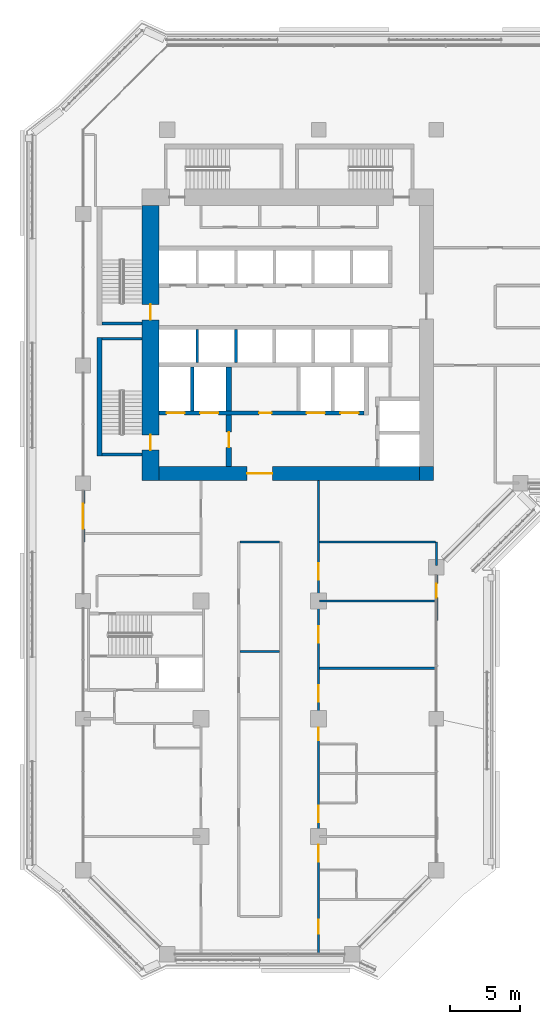
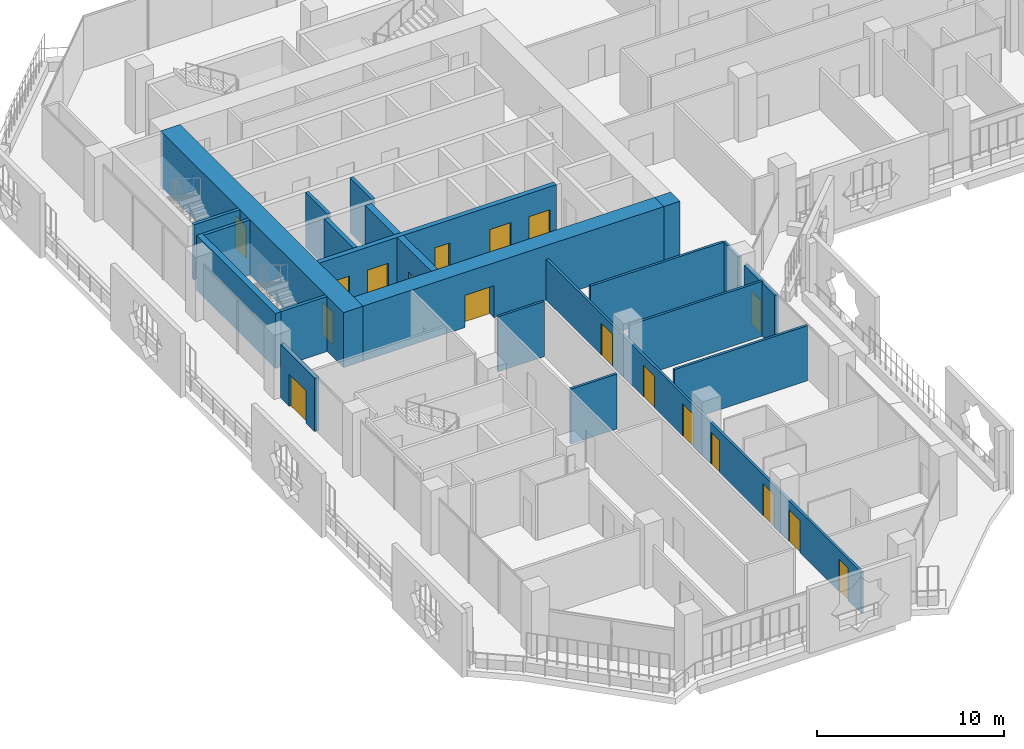
# One storey, part 13 of 25: 22 walls, 18 doors, 18 openings.
"""IFC4 building model written with IfcOpenShell, lengths in metres."""

import ifcopenshell
import ifcopenshell.guid

model = None  # the IFC model being written
_history = None  # IfcOwnerHistory: only IFC2X3 demands one
_inside = {}  # id of a spatial element -> (the spatial element, [elements in it])
_under = {}  # id of a project, library or spatial element -> (it, [spatial elements below it])
_declared = {}  # id of a project -> (the project, [libraries it declares])
_typed = {}  # id of a type object -> (the type object, [elements of that type])
_made_of = {}  # id of a material, layer set ... -> (it, [elements and type objects made of it])


def new_model(schema):
    """Start an empty IFC model of exactly this schema.

    Asked for "IFC4X3", IfcOpenShell would pick the latest addendum, in which some entities
    have other attributes; the version numbers below select the first issue.
    IFC2X3 requires an IfcOwnerHistory on every rooted entity: one is made here for all.
    """
    global model, _history
    if schema == "IFC4X3":
        model = ifcopenshell.file(schema_version=(4, 3, 0, 0))
    else:
        model = ifcopenshell.file(schema=schema)
    _inside.clear()
    _under.clear()
    _declared.clear()
    _typed.clear()
    _made_of.clear()
    _history = None
    if model.schema == "IFC2X3":
        org = make("IfcOrganization", Name="unknown")
        user = make(
            "IfcPersonAndOrganization",
            ThePerson=make("IfcPerson", FamilyName="unknown"),
            TheOrganization=org,
        )
        app = make(
            "IfcApplication",
            ApplicationDeveloper=org,
            Version="unknown",
            ApplicationFullName="unknown",
            ApplicationIdentifier="unknown",
        )
        _history = make(
            "IfcOwnerHistory",
            OwningUser=user,
            OwningApplication=app,
            ChangeAction="ADDED",
            CreationDate=0,
        )
    return model


def make(cls, **values):
    """One entity of the class cls with the attributes given. An attribute that is None is left unset."""
    return model.create_entity(
        cls, **{name: value for name, value in values.items() if value is not None}
    )


def rooted(cls, **values):
    """An entity with a GlobalId (a new one), such as an element, a storey or a relation."""
    return make(cls, GlobalId=ifcopenshell.guid.new(), OwnerHistory=_history, **values)


def si_unit(unit_type, name, prefix=None):
    """IfcSIUnit, for example si_unit("LENGTHUNIT", "METRE", prefix="MILLI")."""
    return make("IfcSIUnit", UnitType=unit_type, Prefix=prefix, Name=name)


def assignment(units):
    """IfcUnitAssignment: the units of a project."""
    return None if units is None else make("IfcUnitAssignment", Units=units)


def point(xyz):
    """IfcCartesianPoint."""
    return None if xyz is None else make("IfcCartesianPoint", Coordinates=xyz)


def direction(xyz):
    """IfcDirection."""
    return None if xyz is None else make("IfcDirection", DirectionRatios=xyz)


def frame(location, z_axis=None, x_axis=None):
    """IfcAxis2Placement3D, a coordinate frame: its origin and axes. An axis left out is left unset."""
    return make(
        "IfcAxis2Placement3D",
        Location=point(location),
        Axis=direction(z_axis),
        RefDirection=direction(x_axis),
    )


def frame_2d(location, x_axis=None):
    """IfcAxis2Placement2D, a coordinate frame in the plane: its origin and x axis."""
    return make(
        "IfcAxis2Placement2D", Location=point(location), RefDirection=direction(x_axis)
    )


def origin():
    """The frame at (0, 0, 0) with its axes left unset."""
    return frame((0.0, 0.0, 0.0))


def place(relative_to, where):
    """IfcLocalPlacement: puts the frame where relative to a parent placement (None: the world)."""
    return make(
        "IfcLocalPlacement", PlacementRelTo=relative_to, RelativePlacement=where
    )


def context(
    kind, dimensions, precision=None, world=None, true_north=None, identifier=None
):
    """IfcGeometricRepresentationContext, for example the 3D "Model" context."""
    return make(
        "IfcGeometricRepresentationContext",
        ContextIdentifier=identifier,
        ContextType=kind,
        CoordinateSpaceDimension=dimensions,
        Precision=precision,
        WorldCoordinateSystem=world,
        TrueNorth=true_north,
    )


def subcontext(parent, identifier, kind, view, scale=None):
    """IfcGeometricRepresentationSubContext, for example "Body" below "Model"."""
    return make(
        "IfcGeometricRepresentationSubContext",
        ContextIdentifier=identifier,
        ContextType=kind,
        ParentContext=parent,
        TargetScale=scale,
        TargetView=view,
    )


def project(units=None, contexts=None):
    """IfcProject with its units and contexts."""
    return rooted(
        "IfcProject",
        Name="project",
        RepresentationContexts=contexts,
        UnitsInContext=assignment(units),
    )


def spatial(cls, under=None, at=None, **own):
    """A site, building, storey or space (cls), placed at a placement, below another one or the project."""
    s = rooted(cls, ObjectPlacement=at, **own)
    if under is not None:
        _under.setdefault(under.id(), (under, []))[1].append(s)
    return s


def profile(cls, at=None, kind="AREA", **sizes):
    """A parametric profile (cls). Its sizes go by their IFC names, for example OverallWidth=200.0."""
    return make(cls, ProfileType=kind, Position=at, **sizes)


def rectangle(**sizes):
    """IfcRectangleProfileDef."""
    return profile("IfcRectangleProfileDef", **sizes)


def extrude(swept, where, along, depth):
    """IfcExtrudedAreaSolid: the profile swept, set in the frame where, extruded along a direction by depth."""
    return make(
        "IfcExtrudedAreaSolid",
        SweptArea=swept,
        Position=where,
        ExtrudedDirection=direction(along),
        Depth=depth,
    )


def shape(context_of_items, identifier, shape_type, items):
    """IfcShapeRepresentation: the items that make up one representation, for example the "Body"."""
    return make(
        "IfcShapeRepresentation",
        ContextOfItems=context_of_items,
        RepresentationIdentifier=identifier,
        RepresentationType=shape_type,
        Items=items,
    )


def material(Name=None, Category=None):
    """IfcMaterial."""
    return make("IfcMaterial", Name=Name, Category=Category)


def layer(
    of_material, thickness, ventilated=None, Name=None, Category=None, Priority=None
):
    """IfcMaterialLayer: one layer of a wall or slab, of a material (None: an air gap)."""
    return make(
        "IfcMaterialLayer",
        Material=of_material,
        LayerThickness=thickness,
        IsVentilated=ventilated,
        Name=Name,
        Category=Category,
        Priority=Priority,
    )


def layer_set(layers, Name=None):
    """IfcMaterialLayerSet."""
    return make("IfcMaterialLayerSet", MaterialLayers=layers, LayerSetName=Name)


def made_of(thing, what):
    """Note that an element or type object is made of a material, layer set ...; save() writes the relation."""
    if what is not None:
        _made_of.setdefault(what.id(), (what, []))[1].append(thing)
    return thing


def type_object(cls, material=None, **own):
    """A type object (cls), such as IfcWallType, which elements share."""
    return made_of(rooted(cls, **own), material)


def element(
    cls,
    number,
    at=None,
    inside=None,
    cuts=None,
    type_object=None,
    material=None,
    context=None,
    identifier="Body",
    shape_type=None,
    held_by="IfcProductDefinitionShape",
    body=None,
    shapes=None,
    **own,
):
    """One element of the class cls, such as IfcWall. Its Tag is "e" and its number.

    at: its placement. inside: the storey or other place that contains it. cuts: it is an
    opening in that element (IfcRelVoidsElement). A single representation is given by context,
    identifier, shape_type and body (its items); several are given by shapes. held_by: the class
    of the entity that holds the representations. save() writes the other relations.
    """
    e = rooted(cls, Tag="e%d" % number, ObjectPlacement=at, **own)
    if body is not None:
        shapes = [shape(context, identifier, shape_type, body)]
    if shapes is not None:
        e.Representation = make(held_by, Representations=shapes)
    if inside is not None:
        _inside.setdefault(inside.id(), (inside, []))[1].append(e)
    if cuts is not None:
        rooted(
            "IfcRelVoidsElement", RelatingBuildingElement=cuts, RelatedOpeningElement=e
        )
    if type_object is not None:
        _typed.setdefault(type_object.id(), (type_object, []))[1].append(e)
    return made_of(e, material)


def fill(opening, filler):
    """IfcRelFillsElement: the door or window that sits in an opening."""
    return rooted(
        "IfcRelFillsElement",
        RelatingOpeningElement=opening,
        RelatedBuildingElement=filler,
    )


def aggregate(whole, parts):
    """IfcRelAggregates: a whole, such as a stair, and the parts it consists of."""
    return rooted("IfcRelAggregates", RelatingObject=whole, RelatedObjects=parts)


def save(model, path):
    """Write the relations noted so far, then the file.

    IfcRelAggregates (storeys below a building ...), IfcRelContainedInSpatialStructure (elements
    in a storey), IfcRelDefinesByType, IfcRelAssociatesMaterial and IfcRelDeclares: one each for
    every whole, place, type object, material and project.
    """
    for whole, parts in _under.values():
        aggregate(whole, parts)
    for where, things in _inside.values():
        rooted(
            "IfcRelContainedInSpatialStructure",
            RelatedElements=things,
            RelatingStructure=where,
        )
    for kind, things in _typed.values():
        rooted("IfcRelDefinesByType", RelatedObjects=things, RelatingType=kind)
    for what, things in _made_of.values():
        rooted("IfcRelAssociatesMaterial", RelatedObjects=things, RelatingMaterial=what)
    for by, libraries in _declared.values():
        rooted("IfcRelDeclares", RelatingContext=by, RelatedDefinitions=libraries)
    model.write(path)


model = new_model("IFC4")

# Units and contexts
model_context = context("Model", 3, precision=1e-05, world=origin(), true_north=direction((0.0, 1.0)))
body_context = subcontext(model_context, "Body", "Model", "MODEL_VIEW")
ifc_project = project(units=[si_unit("LENGTHUNIT", "METRE"), si_unit("AREAUNIT", "SQUARE_METRE"), si_unit("VOLUMEUNIT", "CUBIC_METRE"), si_unit("PLANEANGLEUNIT", "RADIAN"), si_unit("MASSUNIT", "GRAM", prefix="KILO")], contexts=[model_context])

# Site, building, storey
site_placement = place(None, origin())
site = spatial("IfcSite", under=ifc_project, at=site_placement, CompositionType="ELEMENT")
building_placement = place(site_placement, origin())
building = spatial("IfcBuilding", under=site, at=building_placement, Name="Kawkab Arch Medical Tower", CompositionType="ELEMENT")
storey_placement = place(building_placement, frame((0.0, 0.0, 145.0)))
storey = spatial("IfcBuildingStorey", under=building, at=storey_placement, Name="L33", CompositionType="ELEMENT", Elevation=145.0)

# Wall, opening, door
ifc_material_1 = material(Name="Concrete C60/75", Category="concrete")
ifc_layer_1 = layer(ifc_material_1, 1.0)
ifc_layer_set_1 = layer_set([ifc_layer_1], Name="Concrete C60/75")
wall_type_1 = type_object("IfcWallType", Name="Core ring wall 1000 C60/75", PredefinedType="SHEAR", material=ifc_layer_set_1)
wall_1_placement = place(storey_placement, frame((5.39990234375, -24.5, 0.0), z_axis=(0.0, 0.0, 1.0), x_axis=(1.0, 0.0, 0.0)))
wall_1 = element("IfcWall", 1, at=wall_1_placement, inside=storey, type_object=wall_type_1, Name="L33 core wall", PredefinedType="SHEAR", context=body_context, shape_type="SweptSolid", body=[
    extrude(rectangle(XDim=18.60009765625, YDim=1.0, at=frame_2d((9.300048828125, 0.0))), origin(), (0.0, 0.0, 1.0), 3.60009765625),
])
opening_1_placement = place(wall_1_placement, frame((6.300048828125, 0.0, 0.0)))
opening_1 = element("IfcOpeningElement", 2, at=opening_1_placement, cuts=wall_1, Name="Opening PD", PredefinedType="OPENING", context=body_context, shape_type="SweptSolid", body=[
    extrude(rectangle(XDim=1.800048828125, YDim=2.10009765625, at=frame_2d((0.89990234375, 1.050048828125))), frame((0.0, 0.510009765625, 0.0), z_axis=(0.0, -1.0, 0.0), x_axis=(1.0, 0.0, 0.0)), (0.0, 0.0, 1.0), 1.02001953125),
])
ifc_material_2 = material(Name="Hollow metal fire door leaf")
door_type_1 = type_object("IfcDoorType", Name="Core entrance doors 1800", OperationType="DOUBLE_DOOR_SINGLE_SWING", PredefinedType="DOOR", material=ifc_material_2)
door_1_placement = place(opening_1_placement, origin())
door_1 = element("IfcDoor", 3, at=door_1_placement, inside=storey, type_object=door_type_1, Name="L33 South entrance doors", OperationType="DOUBLE_DOOR_SINGLE_SWING", OverallHeight=2.10009765625, OverallWidth=1.800048828125, PredefinedType="DOOR", context=body_context, shape_type="SweptSolid", body=[
    extrude(rectangle(XDim=1.800048828125, YDim=2.10009765625, at=frame_2d((0.89990234375, 1.050048828125))), frame((0.0, 0.02490234375, 0.0), z_axis=(0.0, -1.0, 0.0), x_axis=(1.0, 0.0, 0.0)), (0.0, 0.0, 1.0), 0.050048828125),
])
fill(opening_1, door_1)

# Wall
wall_2_placement = place(storey_placement, frame((24.5, -25.0, 0.0), z_axis=(0.0, 0.0, 1.0), x_axis=(0.0, 1.0, 0.0)))
element("IfcWall", 4, at=wall_2_placement, inside=storey, type_object=wall_type_1, Name="L33 core wall", PredefinedType="SHEAR", context=body_context, shape_type="SweptSolid", body=[
    extrude(rectangle(XDim=1.0, YDim=1.0, at=frame_2d((0.5, 0.0))), origin(), (0.0, 0.0, 1.0), 3.60009765625),
])

# Wall, openings, doors
ifc_material_3 = material(Name="Concrete C60/75", Category="concrete")
ifc_layer_2 = layer(ifc_material_3, 1.199951171875)
ifc_layer_set_2 = layer_set([ifc_layer_2], Name="Concrete C60/75")
wall_type_2 = type_object("IfcWallType", Name="Core ring wall 1200 C60/75", PredefinedType="SHEAR", material=ifc_layer_set_2)
wall_3_placement = place(storey_placement, frame((4.800048828125, -25.0, 0.0), z_axis=(0.0, 0.0, 1.0), x_axis=(0.0, 1.0, 0.0)))
wall_3 = element("IfcWall", 5, at=wall_3_placement, inside=storey, type_object=wall_type_2, Name="L33 core wall", PredefinedType="SHEAR", context=body_context, shape_type="SweptSolid", body=[
    extrude(rectangle(XDim=19.60009765625, YDim=1.199951171875, at=frame_2d((9.800048828125, 0.0))), origin(), (0.0, 0.0, 1.0), 3.60009765625),
])
opening_2_placement = place(wall_3_placement, frame((11.449951171875, 0.0, 0.0)))
opening_2 = element("IfcOpeningElement", 6, at=opening_2_placement, cuts=wall_3, Name="Opening SD", PredefinedType="OPENING", context=body_context, shape_type="SweptSolid", body=[
    extrude(rectangle(XDim=1.10009765625, YDim=2.10009765625, at=frame_2d((0.550048828125, 1.050048828125))), frame((0.0, 0.60986328125, 0.0), z_axis=(0.0, -1.0, 0.0), x_axis=(1.0, 0.0, 0.0)), (0.0, 0.0, 1.0), 1.219970703125),
])
opening_3_placement = place(wall_3_placement, frame((2.14990234375, 0.0, 0.0)))
opening_3 = element("IfcOpeningElement", 7, at=opening_3_placement, cuts=wall_3, Name="Opening SD", PredefinedType="OPENING", context=body_context, shape_type="SweptSolid", body=[
    extrude(rectangle(XDim=1.10009765625, YDim=2.10009765625, at=frame_2d((0.550048828125, 1.050048828125))), frame((0.0, 0.60986328125, 0.0), z_axis=(0.0, -1.0, 0.0), x_axis=(1.0, 0.0, 0.0)), (0.0, 0.0, 1.0), 1.219970703125),
])
ifc_material_4 = material(Name="Hollow metal fire door leaf")
door_type_2 = type_object("IfcDoorType", Name="Exit stair door 1100", OperationType="SINGLE_SWING_LEFT", PredefinedType="DOOR", material=ifc_material_4)
door_2_placement = place(opening_2_placement, origin())
door_2 = element("IfcDoor", 8, at=door_2_placement, inside=storey, type_object=door_type_2, Name="L33 Exit stair ST1 door", OperationType="SINGLE_SWING_LEFT", OverallHeight=2.10009765625, OverallWidth=1.10009765625, PredefinedType="DOOR", context=body_context, shape_type="SweptSolid", body=[
    extrude(rectangle(XDim=1.10009765625, YDim=2.10009765625, at=frame_2d((0.550048828125, 1.050048828125))), frame((0.0, 0.02490234375, 0.0), z_axis=(0.0, -1.0, 0.0), x_axis=(1.0, 0.0, 0.0)), (0.0, 0.0, 1.0), 0.050048828125),
])
fill(opening_2, door_2)
door_3_placement = place(opening_3_placement, origin())
door_3 = element("IfcDoor", 9, at=door_3_placement, inside=storey, type_object=door_type_2, Name="L33 Exit stair ST2 door", OperationType="SINGLE_SWING_LEFT", OverallHeight=2.10009765625, OverallWidth=1.10009765625, PredefinedType="DOOR", context=body_context, shape_type="SweptSolid", body=[
    extrude(rectangle(XDim=1.10009765625, YDim=2.10009765625, at=frame_2d((0.550048828125, 1.050048828125))), frame((0.0, 0.02490234375, 0.0), z_axis=(0.0, -1.0, 0.0), x_axis=(1.0, 0.0, 0.0)), (0.0, 0.0, 1.0), 0.050048828125),
])
fill(opening_3, door_3)

# Wall
ifc_material_5 = material(Name="Concrete C60/75", Category="concrete")
ifc_layer_3 = layer(ifc_material_5, 0.25)
ifc_layer_set_3 = layer_set([ifc_layer_3], Name="Concrete C60/75")
wall_type_3 = type_object("IfcWallType", Name="Core shear wall 250 C60/75", PredefinedType="SHEAR", material=ifc_layer_set_3)
wall_4_placement = place(storey_placement, frame((7.800048828125, -20.050048828125, 0.0), z_axis=(0.0, 0.0, 1.0), x_axis=(0.0, 1.0, 0.0)))
element("IfcWall", 10, at=wall_4_placement, inside=storey, type_object=wall_type_3, Name="L33 core shear wall", PredefinedType="SHEAR", context=body_context, shape_type="SweptSolid", body=[
    extrude(rectangle(XDim=3.150146484375, YDim=0.25, at=frame_2d((1.5751953125, 0.0))), origin(), (0.0, 0.0, 1.0), 3.60009765625),
])

# Wall, openings, doors
ifc_material_6 = material(Name="Concrete C60/75", Category="concrete")
ifc_layer_4 = layer(ifc_material_6, 0.300048828125)
ifc_layer_set_4 = layer_set([ifc_layer_4], Name="Concrete C60/75")
wall_type_4 = type_object("IfcWallType", Name="Core shear wall 300 C60/75", PredefinedType="SHEAR", material=ifc_layer_set_4)
wall_5_placement = place(storey_placement, frame((5.39990234375, -20.199951171875, 0.0), z_axis=(0.0, 0.0, 1.0), x_axis=(1.0, 0.0, 0.0)))
wall_5 = element("IfcWall", 11, at=wall_5_placement, inside=storey, type_object=wall_type_4, Name="L33 core shear wall", PredefinedType="SHEAR", context=body_context, shape_type="SweptSolid", body=[
    extrude(rectangle(XDim=14.650146484375, YDim=0.300048828125, at=frame_2d((7.3251953125, 0.0))), origin(), (0.0, 0.0, 1.0), 3.60009765625),
])
opening_4_placement = place(wall_5_placement, frame((10.550048828125, 0.0, 0.0)))
opening_4 = element("IfcOpeningElement", 12, at=opening_4_placement, cuts=wall_5, Name="Opening LD2", PredefinedType="OPENING", context=body_context, shape_type="SweptSolid", body=[
    extrude(rectangle(XDim=1.300048828125, YDim=2.10009765625, at=frame_2d((0.64990234375, 1.050048828125))), frame((0.0, 0.159912109375, 0.0), z_axis=(0.0, -1.0, 0.0), x_axis=(1.0, 0.0, 0.0)), (0.0, 0.0, 1.0), 0.320068359375),
])
opening_5_placement = place(wall_5_placement, frame((12.949951171875, 0.0, 0.0)))
opening_5 = element("IfcOpeningElement", 13, at=opening_5_placement, cuts=wall_5, Name="Opening LD2", PredefinedType="OPENING", context=body_context, shape_type="SweptSolid", body=[
    extrude(rectangle(XDim=1.300048828125, YDim=2.10009765625, at=frame_2d((0.64990234375, 1.050048828125))), frame((0.0, 0.159912109375, 0.0), z_axis=(0.0, -1.0, 0.0), x_axis=(1.0, 0.0, 0.0)), (0.0, 0.0, 1.0), 0.320068359375),
])
opening_6_placement = place(wall_5_placement, frame((0.550048828125, 0.0, 0.0)))
opening_6 = element("IfcOpeningElement", 14, at=opening_6_placement, cuts=wall_5, Name="Opening LD2", PredefinedType="OPENING", context=body_context, shape_type="SweptSolid", body=[
    extrude(rectangle(XDim=1.300048828125, YDim=2.10009765625, at=frame_2d((0.64990234375, 1.050048828125))), frame((0.0, 0.159912109375, 0.0), z_axis=(0.0, -1.0, 0.0), x_axis=(1.0, 0.0, 0.0)), (0.0, 0.0, 1.0), 0.320068359375),
])
opening_7_placement = place(wall_5_placement, frame((2.949951171875, 0.0, 0.0)))
opening_7 = element("IfcOpeningElement", 15, at=opening_7_placement, cuts=wall_5, Name="Opening LD2", PredefinedType="OPENING", context=body_context, shape_type="SweptSolid", body=[
    extrude(rectangle(XDim=1.300048828125, YDim=2.10009765625, at=frame_2d((0.64990234375, 1.050048828125))), frame((0.0, 0.159912109375, 0.0), z_axis=(0.0, -1.0, 0.0), x_axis=(1.0, 0.0, 0.0)), (0.0, 0.0, 1.0), 0.320068359375),
])
opening_8_placement = place(wall_5_placement, frame((7.14990234375, 0.0, 0.0)))
opening_8 = element("IfcOpeningElement", 16, at=opening_8_placement, cuts=wall_5, Name="Opening RD", PredefinedType="OPENING", context=body_context, shape_type="SweptSolid", body=[
    extrude(rectangle(XDim=0.89990234375, YDim=2.10009765625, at=frame_2d((0.449951171875, 1.050048828125))), frame((0.0, 0.159912109375, 0.0), z_axis=(0.0, -1.0, 0.0), x_axis=(1.0, 0.0, 0.0)), (0.0, 0.0, 1.0), 0.320068359375),
])
ifc_material_7 = material(Name="Hollow metal fire door leaf")
door_type_3 = type_object("IfcDoorType", Name="Core room door 900", OperationType="SINGLE_SWING_LEFT", PredefinedType="DOOR", material=ifc_material_7)
door_4_placement = place(opening_8_placement, origin())
door_4 = element("IfcDoor", 17, at=door_4_placement, inside=storey, type_object=door_type_3, Name="L33 Equipment store door", OperationType="SINGLE_SWING_LEFT", OverallHeight=2.10009765625, OverallWidth=0.89990234375, PredefinedType="DOOR", context=body_context, shape_type="SweptSolid", body=[
    extrude(rectangle(XDim=0.89990234375, YDim=2.10009765625, at=frame_2d((0.449951171875, 1.050048828125))), frame((0.0, 0.02490234375, 0.0), z_axis=(0.0, -1.0, 0.0), x_axis=(1.0, 0.0, 0.0)), (0.0, 0.0, 1.0), 0.050048828125),
])
fill(opening_8, door_4)
ifc_material_8 = material(Name="Stainless steel lift door leaf", Category="steel")
door_type_4 = type_object("IfcDoorType", Name="Lift landing door 1300", OperationType="DOUBLE_DOOR_SLIDING", PredefinedType="DOOR", material=ifc_material_8)
door_5_placement = place(opening_4_placement, origin())
door_5 = element("IfcDoor", 18, at=door_5_placement, inside=storey, type_object=door_type_4, Name="L33 Lift landing door BD3", OperationType="DOUBLE_DOOR_SLIDING", OverallHeight=2.10009765625, OverallWidth=1.300048828125, PredefinedType="DOOR", context=body_context, shape_type="SweptSolid", body=[
    extrude(rectangle(XDim=1.300048828125, YDim=2.10009765625, at=frame_2d((0.64990234375, 1.050048828125))), frame((0.0, 0.02490234375, 0.0), z_axis=(0.0, -1.0, 0.0), x_axis=(1.0, 0.0, 0.0)), (0.0, 0.0, 1.0), 0.050048828125),
])
fill(opening_4, door_5)
door_6_placement = place(opening_5_placement, origin())
door_6 = element("IfcDoor", 19, at=door_6_placement, inside=storey, type_object=door_type_4, Name="L33 Lift landing door BD4", OperationType="DOUBLE_DOOR_SLIDING", OverallHeight=2.10009765625, OverallWidth=1.300048828125, PredefinedType="DOOR", context=body_context, shape_type="SweptSolid", body=[
    extrude(rectangle(XDim=1.300048828125, YDim=2.10009765625, at=frame_2d((0.64990234375, 1.050048828125))), frame((0.0, 0.02490234375, 0.0), z_axis=(0.0, -1.0, 0.0), x_axis=(1.0, 0.0, 0.0)), (0.0, 0.0, 1.0), 0.050048828125),
])
fill(opening_5, door_6)
door_7_placement = place(opening_6_placement, origin())
door_7 = element("IfcDoor", 20, at=door_7_placement, inside=storey, type_object=door_type_4, Name="L33 Lift landing door FL1", OperationType="DOUBLE_DOOR_SLIDING", OverallHeight=2.10009765625, OverallWidth=1.300048828125, PredefinedType="DOOR", context=body_context, shape_type="SweptSolid", body=[
    extrude(rectangle(XDim=1.300048828125, YDim=2.10009765625, at=frame_2d((0.64990234375, 1.050048828125))), frame((0.0, 0.02490234375, 0.0), z_axis=(0.0, -1.0, 0.0), x_axis=(1.0, 0.0, 0.0)), (0.0, 0.0, 1.0), 0.050048828125),
])
fill(opening_6, door_7)
door_8_placement = place(opening_7_placement, origin())
door_8 = element("IfcDoor", 21, at=door_8_placement, inside=storey, type_object=door_type_4, Name="L33 Lift landing door FL2", OperationType="DOUBLE_DOOR_SLIDING", OverallHeight=2.10009765625, OverallWidth=1.300048828125, PredefinedType="DOOR", context=body_context, shape_type="SweptSolid", body=[
    extrude(rectangle(XDim=1.300048828125, YDim=2.10009765625, at=frame_2d((0.64990234375, 1.050048828125))), frame((0.0, 0.02490234375, 0.0), z_axis=(0.0, -1.0, 0.0), x_axis=(1.0, 0.0, 0.0)), (0.0, 0.0, 1.0), 0.050048828125),
])
fill(opening_7, door_8)

# Wall, opening, door
ifc_material_9 = material(Name="Concrete C60/75", Category="concrete")
ifc_layer_5 = layer(ifc_material_9, 0.39990234375)
ifc_layer_set_5 = layer_set([ifc_layer_5], Name="Concrete C60/75")
wall_type_5 = type_object("IfcWallType", Name="Core shear wall 400 C60/75", PredefinedType="SHEAR", material=ifc_layer_set_5)
wall_6_placement = place(storey_placement, frame((10.39990234375, -24.0, 0.0), z_axis=(0.0, 0.0, 1.0), x_axis=(0.0, 1.0, 0.0)))
wall_6 = element("IfcWall", 22, at=wall_6_placement, inside=storey, type_object=wall_type_5, Name="L33 core shear wall", PredefinedType="SHEAR", context=body_context, shape_type="SweptSolid", body=[
    extrude(rectangle(XDim=3.64990234375, YDim=0.39990234375, at=frame_2d((1.824951171875, 0.0))), origin(), (0.0, 0.0, 1.0), 3.60009765625),
])
opening_9_placement = place(wall_6_placement, frame((1.35009765625, 0.0, 0.0)))
opening_9 = element("IfcOpeningElement", 23, at=opening_9_placement, cuts=wall_6, Name="Opening FD", PredefinedType="OPENING", context=body_context, shape_type="SweptSolid", body=[
    extrude(rectangle(XDim=1.10009765625, YDim=2.10009765625, at=frame_2d((0.550048828125, 1.050048828125))), frame((0.0, 0.2099609375, 0.0), z_axis=(0.0, -1.0, 0.0), x_axis=(1.0, 0.0, 0.0)), (0.0, 0.0, 1.0), 0.419921875),
])
ifc_material_10 = material(Name="Hollow metal fire door leaf")
door_type_5 = type_object("IfcDoorType", Name="Firefighting lobby door 1100", OperationType="SINGLE_SWING_LEFT", PredefinedType="DOOR", material=ifc_material_10)
door_9_placement = place(opening_9_placement, origin())
door_9 = element("IfcDoor", 24, at=door_9_placement, inside=storey, type_object=door_type_5, Name="L33 Firefighting lobby door", OperationType="SINGLE_SWING_LEFT", OverallHeight=2.10009765625, OverallWidth=1.10009765625, PredefinedType="DOOR", context=body_context, shape_type="SweptSolid", body=[
    extrude(rectangle(XDim=1.10009765625, YDim=2.10009765625, at=frame_2d((0.550048828125, 1.050048828125))), frame((0.0, 0.02490234375, 0.0), z_axis=(0.0, -1.0, 0.0), x_axis=(1.0, 0.0, 0.0)), (0.0, 0.0, 1.0), 0.050048828125),
])
fill(opening_9, door_9)

# Wall
wall_7_placement = place(storey_placement, frame((10.39990234375, -20.050048828125, 0.0), z_axis=(0.0, 0.0, 1.0), x_axis=(0.0, 1.0, 0.0)))
element("IfcWall", 25, at=wall_7_placement, inside=storey, type_object=wall_type_5, Name="L33 core shear wall", PredefinedType="SHEAR", context=body_context, shape_type="SweptSolid", body=[
    extrude(rectangle(XDim=3.150146484375, YDim=0.39990234375, at=frame_2d((1.5751953125, 0.0))), origin(), (0.0, 0.0, 1.0), 3.60009765625),
])

# Wall, opening, door
ifc_material_11 = material(Name="Bronze clad insulated wall panel")
ifc_layer_6 = layer(ifc_material_11, 0.25)
ifc_layer_set_6 = layer_set([ifc_layer_6], Name="Bronze clad insulated wall panel")
wall_type_6 = type_object("IfcWallType", Name="External wall bay 250", PredefinedType="SOLIDWALL", material=ifc_layer_set_6)
wall_8_placement = place(storey_placement, frame((0.0, -25.72509765625, 0.0), z_axis=(0.0, 0.0, 1.0), x_axis=(0.0, -1.0, 0.0)))
wall_8 = element("IfcWall", 26, at=wall_8_placement, inside=storey, type_object=wall_type_6, Name="External wall bay L33.R01.4.1", PredefinedType="SOLIDWALL", context=body_context, shape_type="SweptSolid", body=[
    extrude(rectangle(XDim=3.6748046875, YDim=0.25, at=frame_2d((1.83740234375, 0.0))), origin(), (0.0, 0.0, 1.0), 3.47998046875),
])
opening_10_placement = place(wall_8_placement, frame((0.9375, 0.0, 0.0)))
opening_10 = element("IfcOpeningElement", 27, at=opening_10_placement, cuts=wall_8, Name="Opening W28-701", PredefinedType="OPENING", context=body_context, shape_type="SweptSolid", body=[
    extrude(rectangle(XDim=1.800048828125, YDim=2.10009765625, at=frame_2d((0.89990234375, 1.050048828125))), frame((0.0, 0.135009765625, 0.0), z_axis=(0.0, -1.0, 0.0), x_axis=(1.0, 0.0, 0.0)), (0.0, 0.0, 1.0), 0.27001953125),
])
ifc_material_12 = material(Name="Bronze anodised aluminium door with tinted glass", Category="aluminium")
door_type_6 = type_object("IfcDoorType", Name="Double external door 1800 x 2100", OperationType="DOUBLE_DOOR_SINGLE_SWING", PredefinedType="DOOR", material=ifc_material_12)
door_10_placement = place(opening_10_placement, origin())
door_10 = element("IfcDoor", 28, at=door_10_placement, inside=storey, type_object=door_type_6, Name="External door L33.R01.4.1", OperationType="DOUBLE_DOOR_SINGLE_SWING", OverallHeight=2.10009765625, OverallWidth=1.800048828125, PredefinedType="DOOR", context=body_context, shape_type="SweptSolid", body=[
    extrude(rectangle(XDim=1.800048828125, YDim=2.10009765625, at=frame_2d((0.89990234375, 1.050048828125))), frame((0.0, 0.02490234375, 0.0), z_axis=(0.0, -1.0, 0.0), x_axis=(1.0, 0.0, 0.0)), (0.0, 0.0, 1.0), 0.050048828125),
])
fill(opening_10, door_10)

wall_9_placement = place(storey_placement, frame((25.199951171875, -34.99169921875, 0.0), z_axis=(0.0, 0.0, 1.0), x_axis=(0.0, 1.0, 0.0)))
wall_9 = element("IfcWall", 29, at=wall_9_placement, inside=storey, type_object=wall_type_6, Name="External wall bay L33.R05.2.3", PredefinedType="SOLIDWALL", context=body_context, shape_type="SweptSolid", body=[
    extrude(rectangle(XDim=3.24169921875, YDim=0.25, at=frame_2d((1.620849609375, 0.0))), origin(), (0.0, 0.0, 1.0), 3.47998046875),
])
opening_11_placement = place(wall_9_placement, frame((1.620849609375, 0.0, 0.0)))
opening_11 = element("IfcOpeningElement", 30, at=opening_11_placement, cuts=wall_9, Name="Opening W28-702", PredefinedType="OPENING", context=body_context, shape_type="SweptSolid", body=[
    extrude(rectangle(XDim=1.0, YDim=2.10009765625, at=frame_2d((0.5, 1.050048828125))), frame((0.0, 0.135009765625, 0.0), z_axis=(0.0, -1.0, 0.0), x_axis=(1.0, 0.0, 0.0)), (0.0, 0.0, 1.0), 0.27001953125),
])
ifc_material_13 = material(Name="Bronze anodised aluminium door with tinted glass", Category="aluminium")
door_type_7 = type_object("IfcDoorType", Name="Single external door 1000 x 2100", OperationType="SINGLE_SWING_LEFT", PredefinedType="DOOR", material=ifc_material_13)
door_11_placement = place(opening_11_placement, origin())
door_11 = element("IfcDoor", 31, at=door_11_placement, inside=storey, type_object=door_type_7, Name="External door L33.R05.2.3", OperationType="SINGLE_SWING_LEFT", OverallHeight=2.10009765625, OverallWidth=1.0, PredefinedType="DOOR", context=body_context, shape_type="SweptSolid", body=[
    extrude(rectangle(XDim=1.0, YDim=2.10009765625, at=frame_2d((0.5, 1.050048828125))), frame((0.0, 0.02490234375, 0.0), z_axis=(0.0, -1.0, 0.0), x_axis=(1.0, 0.0, 0.0)), (0.0, 0.0, 1.0), 0.050048828125),
])
fill(opening_11, door_11)

# Walls
ifc_material_14 = material(Name="Dense concrete blockwork", Category="masonry")
ifc_layer_7 = layer(ifc_material_14, 0.199951171875)
ifc_layer_set_7 = layer_set([ifc_layer_7], Name="Dense concrete blockwork")
wall_type_7 = type_object("IfcWallType", Name="Lift shaft partition 200", PredefinedType="PARTITIONING", material=ifc_layer_set_7)
for number, where, z_axis, x_axis, name in (
    (32, (8.14990234375, -16.60009765625, 0.0), (0.0, 0.0, 1.0), (0.0, 1.0, 0.0), "L33 lift shaft partition"),
    (33, (10.89990234375, -16.60009765625, 0.0), (0.0, 0.0, 1.0), (0.0, 1.0, 0.0), "L33 lift shaft partition"),
):
    element("IfcWall", number, at=place(storey_placement, frame(where, z_axis=z_axis, x_axis=x_axis)), inside=storey, type_object=wall_type_7, Name=name, PredefinedType="PARTITIONING", context=body_context, shape_type="SweptSolid", body=[
        extrude(rectangle(XDim=2.35009765625, YDim=0.199951171875, at=frame_2d((1.175048828125, 0.0))), origin(), (0.0, 0.0, 1.0), 3.60009765625),
    ])
ifc_material_15 = material(Name="Gypsum board partition on steel studs, mineral wool", Category="steel")
ifc_layer_8 = layer(ifc_material_15, 0.14990234375)
ifc_layer_set_8 = layer_set([ifc_layer_8], Name="Gypsum board partition on steel studs, mineral wool")
wall_type_8 = type_object("IfcWallType", Name="Partition 150", PredefinedType="PARTITIONING", material=ifc_layer_set_8)
wall_10_placement = place(storey_placement, frame((16.875, -38.39990234375, 0.0), z_axis=(0.0, 0.0, 1.0), x_axis=(1.0, 0.0, 0.0)))
element("IfcWall", 34, at=wall_10_placement, inside=storey, type_object=wall_type_8, Name="Partition 150 w029", PredefinedType="PARTITIONING", context=body_context, shape_type="SweptSolid", body=[
    extrude(rectangle(XDim=8.2451171875, YDim=0.14990234375, at=frame_2d((4.12255859375, 0.0))), origin(), (0.0, 0.0, 1.0), 3.60009765625),
])
wall_11_placement = place(storey_placement, frame((11.175048828125, -37.199951171875, 0.0), z_axis=(0.0, 0.0, 1.0), x_axis=(1.0, 0.0, 0.0)))
element("IfcWall", 35, at=wall_11_placement, inside=storey, type_object=wall_type_8, Name="Partition 150 w030", PredefinedType="PARTITIONING", context=body_context, shape_type="SweptSolid", body=[
    extrude(rectangle(XDim=2.849853515625, YDim=0.14990234375, at=frame_2d((1.4248046875, 0.0))), origin(), (0.0, 0.0, 1.0), 3.60009765625),
])
wall_12_placement = place(storey_placement, frame((16.875, -33.60009765625, 0.0), z_axis=(0.0, 0.0, 1.0), x_axis=(1.0, 0.0, 0.0)))
element("IfcWall", 36, at=wall_12_placement, inside=storey, type_object=wall_type_8, Name="Partition 150 w031", PredefinedType="PARTITIONING", context=body_context, shape_type="SweptSolid", body=[
    extrude(rectangle(XDim=8.2451171875, YDim=0.14990234375, at=frame_2d((4.12255859375, 0.0))), origin(), (0.0, 0.0, 1.0), 3.60009765625),
])
wall_13_placement = place(storey_placement, frame((11.175048828125, -29.39990234375, 0.0), z_axis=(0.0, 0.0, 1.0), x_axis=(1.0, 0.0, 0.0)))
element("IfcWall", 37, at=wall_13_placement, inside=storey, type_object=wall_type_8, Name="Partition 150 w033", PredefinedType="PARTITIONING", context=body_context, shape_type="SweptSolid", body=[
    extrude(rectangle(XDim=2.849853515625, YDim=0.14990234375, at=frame_2d((1.4248046875, 0.0))), origin(), (0.0, 0.0, 1.0), 3.60009765625),
])
wall_14_placement = place(storey_placement, frame((16.875, -29.39990234375, 0.0), z_axis=(0.0, 0.0, 1.0), x_axis=(1.0, 0.0, 0.0)))
element("IfcWall", 38, at=wall_14_placement, inside=storey, type_object=wall_type_8, Name="Partition 150 w034", PredefinedType="PARTITIONING", context=body_context, shape_type="SweptSolid", body=[
    extrude(rectangle(XDim=8.25, YDim=0.14990234375, at=frame_2d((4.125, 0.0))), origin(), (0.0, 0.0, 1.0), 3.60009765625),
])

# Wall, openings, doors
wall_15_placement = place(storey_placement, frame((16.800048828125, -58.719970703125, 0.0), z_axis=(0.0, 0.0, 1.0), x_axis=(0.0, 1.0, 0.0)))
wall_15 = element("IfcWall", 39, at=wall_15_placement, inside=storey, type_object=wall_type_8, Name="Partition 150 w059", PredefinedType="PARTITIONING", context=body_context, shape_type="SweptSolid", body=[
    extrude(rectangle(XDim=33.719970703125, YDim=0.14990234375, at=frame_2d((16.85986328125, 0.0))), origin(), (0.0, 0.0, 1.0), 2.699951171875),
])
opening_12_placement = place(wall_15_placement, frame((26.6201171875, 0.0, 0.0)))
opening_12 = element("IfcOpeningElement", 40, at=opening_12_placement, cuts=wall_15, Name="Opening W28-048", PredefinedType="OPENING", context=body_context, shape_type="SweptSolid", body=[
    extrude(rectangle(XDim=1.199951171875, YDim=2.10009765625, at=frame_2d((0.60009765625, 1.050048828125))), frame((0.0, 0.0849609375, 0.0), z_axis=(0.0, -1.0, 0.0), x_axis=(1.0, 0.0, 0.0)), (0.0, 0.0, 1.0), 0.169921875),
])
opening_13_placement = place(wall_15_placement, frame((22.1201171875, 0.0, 0.0)))
opening_13 = element("IfcOpeningElement", 41, at=opening_13_placement, cuts=wall_15, Name="Opening W28-049", PredefinedType="OPENING", context=body_context, shape_type="SweptSolid", body=[
    extrude(rectangle(XDim=1.199951171875, YDim=2.10009765625, at=frame_2d((0.60009765625, 1.050048828125))), frame((0.0, 0.0849609375, 0.0), z_axis=(0.0, -1.0, 0.0), x_axis=(1.0, 0.0, 0.0)), (0.0, 0.0, 1.0), 0.169921875),
])
opening_14_placement = place(wall_15_placement, frame((17.919921875, 0.0, 0.0)))
opening_14 = element("IfcOpeningElement", 42, at=opening_14_placement, cuts=wall_15, Name="Opening W28-050", PredefinedType="OPENING", context=body_context, shape_type="SweptSolid", body=[
    extrude(rectangle(XDim=1.199951171875, YDim=2.10009765625, at=frame_2d((0.60009765625, 1.050048828125))), frame((0.0, 0.0849609375, 0.0), z_axis=(0.0, -1.0, 0.0), x_axis=(1.0, 0.0, 0.0)), (0.0, 0.0, 1.0), 0.169921875),
])
opening_15_placement = place(wall_15_placement, frame((15.169921875, 0.0, 0.0)))
opening_15 = element("IfcOpeningElement", 43, at=opening_15_placement, cuts=wall_15, Name="Opening W28-020", PredefinedType="OPENING", context=body_context, shape_type="SweptSolid", body=[
    extrude(rectangle(XDim=0.89990234375, YDim=2.10009765625, at=frame_2d((0.449951171875, 1.050048828125))), frame((0.0, 0.0849609375, 0.0), z_axis=(0.0, -1.0, 0.0), x_axis=(1.0, 0.0, 0.0)), (0.0, 0.0, 1.0), 0.169921875),
])
opening_16_placement = place(wall_15_placement, frame((9.320068359375, 0.0, 0.0)))
opening_16 = element("IfcOpeningElement", 44, at=opening_16_placement, cuts=wall_15, Name="Opening W28-051", PredefinedType="OPENING", context=body_context, shape_type="SweptSolid", body=[
    extrude(rectangle(XDim=1.199951171875, YDim=2.10009765625, at=frame_2d((0.60009765625, 1.050048828125))), frame((0.0, 0.0849609375, 0.0), z_axis=(0.0, -1.0, 0.0), x_axis=(1.0, 0.0, 0.0)), (0.0, 0.0, 1.0), 0.169921875),
])
opening_17_placement = place(wall_15_placement, frame((6.52001953125, 0.0, 0.0)))
opening_17 = element("IfcOpeningElement", 45, at=opening_17_placement, cuts=wall_15, Name="Opening W28-052", PredefinedType="OPENING", context=body_context, shape_type="SweptSolid", body=[
    extrude(rectangle(XDim=1.199951171875, YDim=2.10009765625, at=frame_2d((0.60009765625, 1.050048828125))), frame((0.0, 0.0849609375, 0.0), z_axis=(0.0, -1.0, 0.0), x_axis=(1.0, 0.0, 0.0)), (0.0, 0.0, 1.0), 0.169921875),
])
opening_18_placement = place(wall_15_placement, frame((1.3701171875, 0.0, 0.0)))
opening_18 = element("IfcOpeningElement", 46, at=opening_18_placement, cuts=wall_15, Name="Opening W28-033", PredefinedType="OPENING", context=body_context, shape_type="SweptSolid", body=[
    extrude(rectangle(XDim=1.0, YDim=2.10009765625, at=frame_2d((0.5, 1.050048828125))), frame((0.0, 0.0849609375, 0.0), z_axis=(0.0, -1.0, 0.0), x_axis=(1.0, 0.0, 0.0)), (0.0, 0.0, 1.0), 0.169921875),
])
ifc_material_16 = material(Name="Hollow metal door leaf")
door_type_8 = type_object("IfcDoorType", Name="Single door 1000x2100 FD30S", OperationType="NOTDEFINED", PredefinedType="DOOR", material=ifc_material_16)
door_12_placement = place(opening_18_placement, origin())
door_12 = element("IfcDoor", 47, at=door_12_placement, inside=storey, type_object=door_type_8, Name="Door W28-033", OperationType="SINGLE_SWING_RIGHT", OverallHeight=2.10009765625, OverallWidth=1.0, PredefinedType="DOOR", context=body_context, shape_type="SweptSolid", body=[
    extrude(rectangle(XDim=1.0, YDim=2.10009765625, at=frame_2d((0.5, 1.050048828125))), frame((0.0, 0.02490234375, 0.0), z_axis=(0.0, -1.0, 0.0), x_axis=(1.0, 0.0, 0.0)), (0.0, 0.0, 1.0), 0.050048828125),
])
fill(opening_18, door_12)
ifc_material_17 = material(Name="Hollow metal door leaf")
door_type_9 = type_object("IfcDoorType", Name="Single door 1200x2100 FD30S", OperationType="NOTDEFINED", PredefinedType="DOOR", material=ifc_material_17)
door_13_placement = place(opening_12_placement, origin())
door_13 = element("IfcDoor", 48, at=door_13_placement, inside=storey, type_object=door_type_9, Name="Door W28-048", OperationType="SINGLE_SWING_LEFT", OverallHeight=2.10009765625, OverallWidth=1.199951171875, PredefinedType="DOOR", context=body_context, shape_type="SweptSolid", body=[
    extrude(rectangle(XDim=1.199951171875, YDim=2.10009765625, at=frame_2d((0.60009765625, 1.050048828125))), frame((0.0, 0.02490234375, 0.0), z_axis=(0.0, -1.0, 0.0), x_axis=(1.0, 0.0, 0.0)), (0.0, 0.0, 1.0), 0.050048828125),
])
fill(opening_12, door_13)
door_14_placement = place(opening_13_placement, origin())
door_14 = element("IfcDoor", 49, at=door_14_placement, inside=storey, type_object=door_type_9, Name="Door W28-049", OperationType="SINGLE_SWING_LEFT", OverallHeight=2.10009765625, OverallWidth=1.199951171875, PredefinedType="DOOR", context=body_context, shape_type="SweptSolid", body=[
    extrude(rectangle(XDim=1.199951171875, YDim=2.10009765625, at=frame_2d((0.60009765625, 1.050048828125))), frame((0.0, 0.02490234375, 0.0), z_axis=(0.0, -1.0, 0.0), x_axis=(1.0, 0.0, 0.0)), (0.0, 0.0, 1.0), 0.050048828125),
])
fill(opening_13, door_14)
door_15_placement = place(opening_14_placement, origin())
door_15 = element("IfcDoor", 50, at=door_15_placement, inside=storey, type_object=door_type_9, Name="Door W28-050", OperationType="SINGLE_SWING_LEFT", OverallHeight=2.10009765625, OverallWidth=1.199951171875, PredefinedType="DOOR", context=body_context, shape_type="SweptSolid", body=[
    extrude(rectangle(XDim=1.199951171875, YDim=2.10009765625, at=frame_2d((0.60009765625, 1.050048828125))), frame((0.0, 0.02490234375, 0.0), z_axis=(0.0, -1.0, 0.0), x_axis=(1.0, 0.0, 0.0)), (0.0, 0.0, 1.0), 0.050048828125),
])
fill(opening_14, door_15)
door_16_placement = place(opening_16_placement, origin())
door_16 = element("IfcDoor", 51, at=door_16_placement, inside=storey, type_object=door_type_9, Name="Door W28-051", OperationType="SINGLE_SWING_RIGHT", OverallHeight=2.10009765625, OverallWidth=1.199951171875, PredefinedType="DOOR", context=body_context, shape_type="SweptSolid", body=[
    extrude(rectangle(XDim=1.199951171875, YDim=2.10009765625, at=frame_2d((0.60009765625, 1.050048828125))), frame((0.0, 0.02490234375, 0.0), z_axis=(0.0, -1.0, 0.0), x_axis=(1.0, 0.0, 0.0)), (0.0, 0.0, 1.0), 0.050048828125),
])
fill(opening_16, door_16)
door_17_placement = place(opening_17_placement, origin())
door_17 = element("IfcDoor", 52, at=door_17_placement, inside=storey, type_object=door_type_9, Name="Door W28-052", OperationType="SINGLE_SWING_RIGHT", OverallHeight=2.10009765625, OverallWidth=1.199951171875, PredefinedType="DOOR", context=body_context, shape_type="SweptSolid", body=[
    extrude(rectangle(XDim=1.199951171875, YDim=2.10009765625, at=frame_2d((0.60009765625, 1.050048828125))), frame((0.0, 0.02490234375, 0.0), z_axis=(0.0, -1.0, 0.0), x_axis=(1.0, 0.0, 0.0)), (0.0, 0.0, 1.0), 0.050048828125),
])
fill(opening_17, door_17)
ifc_material_18 = material(Name="Hollow metal door leaf")
door_type_10 = type_object("IfcDoorType", Name="Single door 900x2100 FD30S", OperationType="NOTDEFINED", PredefinedType="DOOR", material=ifc_material_18)
door_18_placement = place(opening_15_placement, origin())
door_18 = element("IfcDoor", 53, at=door_18_placement, inside=storey, type_object=door_type_10, Name="Door W28-020", OperationType="SINGLE_SWING_RIGHT", OverallHeight=2.10009765625, OverallWidth=0.89990234375, PredefinedType="DOOR", context=body_context, shape_type="SweptSolid", body=[
    extrude(rectangle(XDim=0.89990234375, YDim=2.10009765625, at=frame_2d((0.449951171875, 1.050048828125))), frame((0.0, 0.02490234375, 0.0), z_axis=(0.0, -1.0, 0.0), x_axis=(1.0, 0.0, 0.0)), (0.0, 0.0, 1.0), 0.050048828125),
])
fill(opening_15, door_18)

# Walls
wall_16_placement = place(storey_placement, frame((25.199951171875, -31.0869140625, 0.0), z_axis=(0.0, 0.0, 1.0), x_axis=(0.0, 1.0, 0.0)))
element("IfcWall", 54, at=wall_16_placement, inside=storey, type_object=wall_type_8, Name="Partition 150 w060", PredefinedType="PARTITIONING", context=body_context, shape_type="SweptSolid", body=[
    extrude(rectangle(XDim=1.68701171875, YDim=0.14990234375, at=frame_2d((0.843505859375, 0.0))), origin(), (0.0, 0.0, 1.0), 3.60009765625),
])
ifc_material_19 = material(Name="Concrete C50/60", Category="concrete")
ifc_layer_9 = layer(ifc_material_19, 0.199951171875)
ifc_layer_set_9 = layer_set([ifc_layer_9], Name="Concrete C50/60")
wall_type_9 = type_object("IfcWallType", Name="Stair enclosure wall 200 C50/60", PredefinedType="SHEAR", material=ifc_layer_set_9)
for number, where, z_axis, x_axis, name in (
    (55, (1.35009765625, -13.800048828125, 0.0), (0.0, 0.0, 1.0), (1.0, 0.0, 0.0), "L33 stair enclosure wall"),
    (56, (1.35009765625, -14.89990234375, 0.0), (0.0, 0.0, 1.0), (1.0, 0.0, 0.0), "L33 stair enclosure wall"),
    (57, (1.35009765625, -23.14990234375, 0.0), (0.0, 0.0, 1.0), (1.0, 0.0, 0.0), "L33 stair enclosure wall"),
):
    element("IfcWall", number, at=place(storey_placement, frame(where, z_axis=z_axis, x_axis=x_axis)), inside=storey, type_object=wall_type_9, Name=name, PredefinedType="SHEAR", context=body_context, shape_type="SweptSolid", body=[
        extrude(rectangle(XDim=2.849853515625, YDim=0.199951171875, at=frame_2d((1.4248046875, 0.0))), origin(), (0.0, 0.0, 1.0), 3.60009765625),
    ])
ifc_material_20 = material(Name="Concrete C50/60", Category="concrete")
ifc_layer_10 = layer(ifc_material_20, 0.35009765625)
ifc_layer_set_10 = layer_set([ifc_layer_10], Name="Concrete C50/60")
wall_type_10 = type_object("IfcWallType", Name="Stair enclosure wall 350 C50/60", PredefinedType="SHEAR", material=ifc_layer_set_10)
wall_17_placement = place(storey_placement, frame((1.175048828125, -23.25, 0.0), z_axis=(0.0, 0.0, 1.0), x_axis=(0.0, 1.0, 0.0)))
element("IfcWall", 58, at=wall_17_placement, inside=storey, type_object=wall_type_10, Name="L33 stair enclosure wall", PredefinedType="SHEAR", context=body_context, shape_type="SweptSolid", body=[
    extrude(rectangle(XDim=8.449951171875, YDim=0.35009765625, at=frame_2d((4.22509765625, 0.0))), origin(), (0.0, 0.0, 1.0), 3.60009765625),
])

save(model, "model.ifc")
